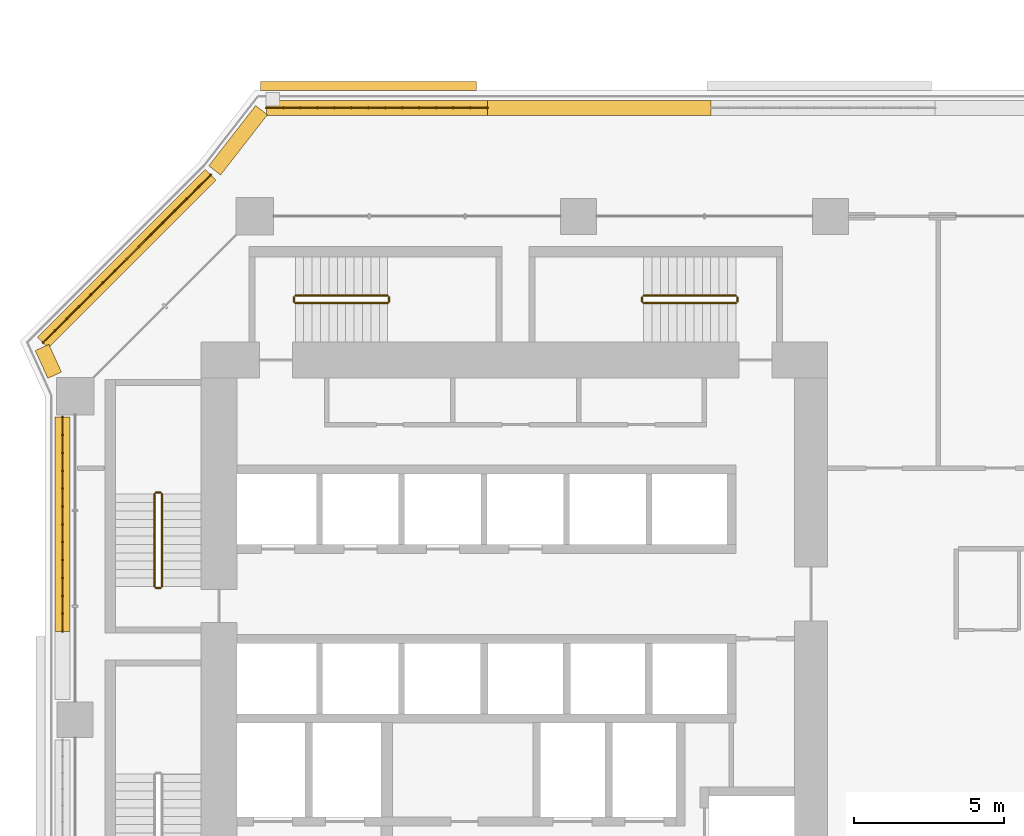
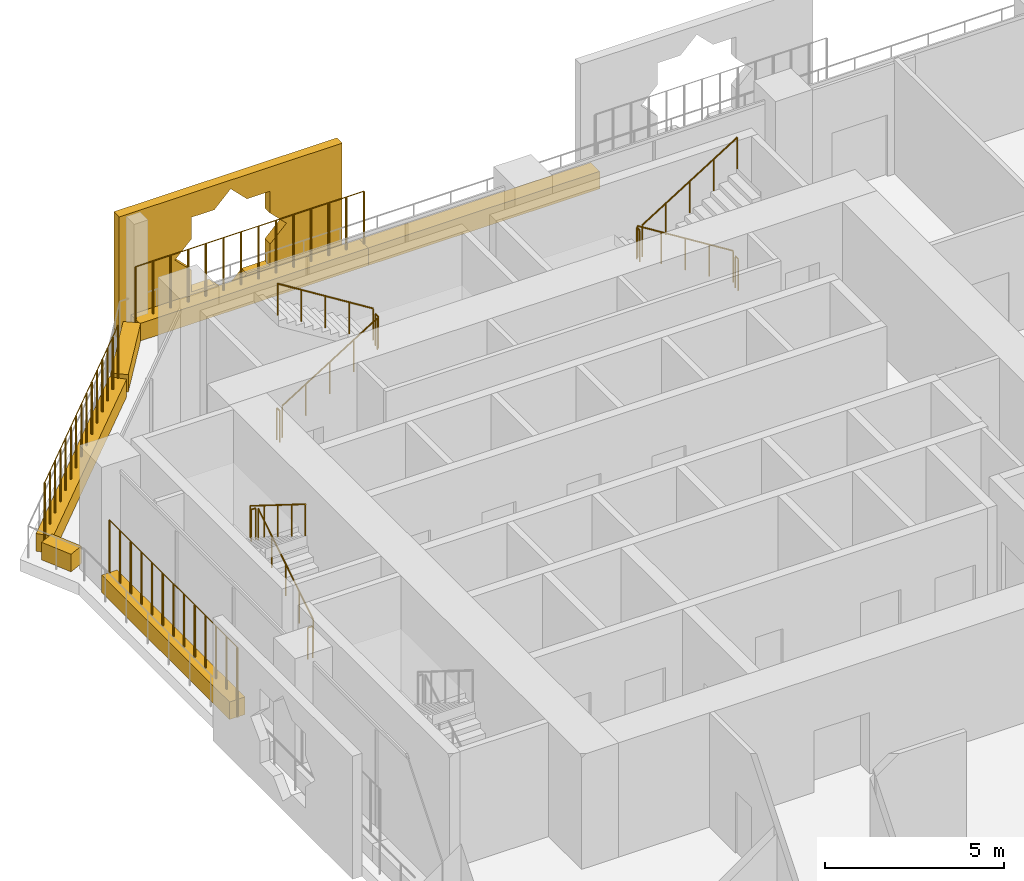
# One storey, part 25 of 27: 15 railings, 7 coverings.
"""IFC4 building model written with IfcOpenShell, lengths in metres."""

from ifc_helpers import new_model, si_unit, direction, frame, origin, origin_2d, place, context, subcontext, project, spatial, polyline, rectangle, circle, outline, extrude, material, material_profile, profile_set, type_object, element, save


model = new_model("IFC4")

# Units and contexts
model_context = context("Model", 3, precision=1e-05, world=origin(), true_north=direction((0.0, 1.0)))
body_context = subcontext(model_context, "Body", "Model", "MODEL_VIEW")
ifc_project = project(units=[si_unit("LENGTHUNIT", "METRE"), si_unit("AREAUNIT", "SQUARE_METRE"), si_unit("VOLUMEUNIT", "CUBIC_METRE"), si_unit("PLANEANGLEUNIT", "RADIAN"), si_unit("MASSUNIT", "GRAM", prefix="KILO")], contexts=[model_context])

# Site, building, storey
site_placement = place(None, origin())
site = spatial("IfcSite", under=ifc_project, at=site_placement, CompositionType="ELEMENT")
building_placement = place(site_placement, origin())
building = spatial("IfcBuilding", under=site, at=building_placement, Name="Kawkab Arch Medical Tower", CompositionType="ELEMENT")
storey_placement = place(building_placement, frame((0.0, 0.0, 39.199951171875)))
storey = spatial("IfcBuildingStorey", under=building, at=storey_placement, Name="L08", CompositionType="ELEMENT", Elevation=39.199951171875)

# Coverings
ifc_material_1 = material(Name="Bronze anodised aluminium mashrabiya panel, eight-point star pattern", Category="aluminium")
ifc_material_profile_1 = material_profile(ifc_material_1, outline(polyline([(-3.60009765625, -2.10009765625), (3.60009765625, -2.10009765625), (3.60009765625, 2.10009765625), (-3.60009765625, 2.10009765625), (-3.60009765625, -2.10009765625)]), holes=[polyline([(1.800048828125, 0.0), (1.272705078125, 0.527099609375), (1.272705078125, 1.272705078125), (0.527099609375, 1.272705078125), (0.0, 1.800048828125), (-0.527099609375, 1.272705078125), (-1.272705078125, 1.272705078125), (-1.272705078125, 0.527099609375), (-1.800048828125, 0.0), (-1.272705078125, -0.527099609375), (-1.272705078125, -1.272705078125), (-0.527099609375, -1.272705078125), (0.0, -1.800048828125), (0.527099609375, -1.272705078125), (1.272705078125, -1.272705078125), (1.272705078125, -0.527099609375), (1.800048828125, 0.0)])]), Name="Mashrabiya panel 7200x4200")
ifc_profile_set_1 = profile_set([ifc_material_profile_1], Name="Bronze anodised aluminium mashrabiya panel, eight-point star pattern")
covering_type_1 = type_object("IfcCoveringType", Name="Mashrabiya panel 7200 x 4200", PredefinedType="USERDEFINED", material=ifc_profile_set_1)
covering_1_placement = place(storey_placement, frame((9.791015625, 4.199951171875, 1.699951171875), z_axis=(0.0, 1.0, 0.0), x_axis=(-1.0, 0.0, 0.0)))
element("IfcCovering", 1, at=covering_1_placement, inside=storey, type_object=covering_type_1, Name="Mashrabiya panel L08.LOG-01-01.6", ObjectType="SCREEN", PredefinedType="USERDEFINED", context=body_context, shape_type="SweptSolid", body=[
    extrude(outline(polyline([(-3.60009765625, -2.10009765625), (3.60009765625, -2.10009765625), (3.60009765625, 2.10009765625), (-3.60009765625, 2.10009765625), (-3.60009765625, -2.10009765625)]), holes=[polyline([(1.800048828125, 0.0), (1.272705078125, 0.527099609375), (1.272705078125, 1.272705078125), (0.527099609375, 1.272705078125), (0.0, 1.800048828125), (-0.527099609375, 1.272705078125), (-1.272705078125, 1.272705078125), (-1.272705078125, 0.527099609375), (-1.800048828125, 0.0), (-1.272705078125, -0.527099609375), (-1.272705078125, -1.272705078125), (-0.527099609375, -1.272705078125), (0.0, -1.800048828125), (0.527099609375, -1.272705078125), (1.272705078125, -1.272705078125), (1.272705078125, -0.527099609375), (1.800048828125, 0.0)])]), origin(), (0.0, 0.0, 1.0), 0.300048828125),
])
ifc_material_2 = material(Name="Planting soil in a precast trough", Category="concrete")
ifc_material_profile_2 = material_profile(ifc_material_2, rectangle(XDim=0.5, YDim=0.60009765625, at=origin_2d()), Name="Trough 500x600")
ifc_profile_set_2 = profile_set([ifc_material_profile_2], Name="Planting soil in a precast trough")
covering_type_2 = type_object("IfcCoveringType", Name="Planter trough 500 x 600", PredefinedType="USERDEFINED", material=ifc_profile_set_2)
covering_2_placement = place(storey_placement, frame((-0.419921875, -13.85595703125, 0.300048828125), z_axis=(0.0, 1.0, 0.0), x_axis=(-1.0, 0.0, 0.0)))
element("IfcCovering", 2, at=covering_2_placement, inside=storey, type_object=covering_type_2, Name="Planter L08.LOG-01-01.21", ObjectType="PLANTER", PredefinedType="USERDEFINED", context=body_context, shape_type="SweptSolid", body=[
    extrude(rectangle(XDim=0.5, YDim=0.60009765625, at=origin_2d()), origin(), (0.0, 0.0, 1.0), 7.15087890625),
])
covering_3_placement = place(storey_placement, frame((-0.680908203125, -5.302001953125, 0.300048828125), z_axis=(-0.415071571878, 0.909788761317, 0.0), x_axis=(-0.909788761317, -0.415071571878, 0.0)))
element("IfcCovering", 3, at=covering_3_placement, inside=storey, type_object=covering_type_2, Name="Planter L08.LOG-01-01.22", ObjectType="PLANTER", PredefinedType="USERDEFINED", context=body_context, shape_type="SweptSolid", body=[
    extrude(rectangle(XDim=0.5, YDim=0.60009765625, at=origin_2d()), origin(), (0.0, 0.0, 1.0), 1.0146484375),
])
covering_4_placement = place(storey_placement, frame((-1.072998046875, -4.217041015625, 0.300048828125), z_axis=(0.707106781187, 0.707106781187, 0.0), x_axis=(-0.707106781187, 0.707106781187, 0.0)))
element("IfcCovering", 4, at=covering_4_placement, inside=storey, type_object=covering_type_2, Name="Planter L08.LOG-01-01.23", ObjectType="PLANTER", PredefinedType="USERDEFINED", context=body_context, shape_type="SweptSolid", body=[
    extrude(rectangle(XDim=0.5, YDim=0.60009765625, at=origin_2d()), origin(), (0.0, 0.0, 1.0), 7.919677734375),
])
covering_5_placement = place(storey_placement, frame((4.658935546875, 1.531982421875, 0.300048828125), z_axis=(0.61404021143, 0.789274742246, 0.0), x_axis=(-0.789274742246, 0.61404021143, 0.0)))
element("IfcCovering", 5, at=covering_5_placement, inside=storey, type_object=covering_type_2, Name="Planter L08.LOG-01-01.24", ObjectType="PLANTER", PredefinedType="USERDEFINED", context=body_context, shape_type="SweptSolid", body=[
    extrude(rectangle(XDim=0.5, YDim=0.60009765625, at=origin_2d()), origin(), (0.0, 0.0, 1.0), 2.54541015625),
])
covering_6_placement = place(storey_placement, frame((6.384033203125, 3.6201171875, 0.300048828125), z_axis=(1.0, 0.0, 0.0), x_axis=(0.0, 1.0, 0.0)))
element("IfcCovering", 6, at=covering_6_placement, inside=storey, type_object=covering_type_2, Name="Planter L08.LOG-01-01.25", ObjectType="PLANTER", PredefinedType="USERDEFINED", context=body_context, shape_type="SweptSolid", body=[
    extrude(rectangle(XDim=0.5, YDim=0.60009765625, at=origin_2d()), origin(), (0.0, 0.0, 1.0), 7.369873046875),
])
covering_7_placement = place(storey_placement, frame((13.75390625, 3.6201171875, 0.300048828125), z_axis=(1.0, 0.0, 0.0), x_axis=(0.0, 1.0, 0.0)))
element("IfcCovering", 7, at=covering_7_placement, inside=storey, type_object=covering_type_2, Name="Planter L08.LOG-01-01.26", ObjectType="PLANTER", PredefinedType="USERDEFINED", context=body_context, shape_type="SweptSolid", body=[
    extrude(rectangle(XDim=0.5, YDim=0.60009765625, at=origin_2d()), origin(), (0.0, 0.0, 1.0), 7.47021484375),
])

# Railings
ifc_material_3 = material(Name="Bronze anodised aluminium trellis for climbing plants", Category="aluminium")
railing_type_1 = type_object("IfcRailingType", Name="Planting trellis 2400", PredefinedType="USERDEFINED", material=ifc_material_3)
railing_1_placement = place(storey_placement, frame((-0.419921875, -13.85595703125, 0.0)))
element("IfcRailing", 8, at=railing_1_placement, inside=storey, type_object=railing_type_1, Name="Planting trellis L08.LOG-01-01.21", ObjectType="TRELLIS", PredefinedType="USERDEFINED", context=body_context, shape_type="SweptSolid", body=[
    extrude(circle(Radius=0.01513671875, at=origin_2d()), frame((0.0, 0.0, 2.384765625), z_axis=(0.0, 1.0, 0.0), x_axis=(-1.0, 0.0, 0.0)), (0.0, 0.0, 1.0), 7.15087890625),
    extrude(circle(Radius=0.030029296875, at=origin_2d()), origin(), (0.0, 0.0, 1.0), 2.369873046875),
    extrude(circle(Radius=0.030029296875, at=origin_2d()), frame((0.0, 0.595947265625, 0.0)), (0.0, 0.0, 1.0), 2.369873046875),
    extrude(circle(Radius=0.030029296875, at=origin_2d()), frame((0.0, 1.19189453125, 0.0)), (0.0, 0.0, 1.0), 2.369873046875),
    extrude(circle(Radius=0.030029296875, at=origin_2d()), frame((0.0, 1.78759765625, 0.0)), (0.0, 0.0, 1.0), 2.369873046875),
    extrude(circle(Radius=0.030029296875, at=origin_2d()), frame((0.0, 2.383544921875, 0.0)), (0.0, 0.0, 1.0), 2.369873046875),
    extrude(circle(Radius=0.030029296875, at=origin_2d()), frame((0.0, 2.9794921875, 0.0)), (0.0, 0.0, 1.0), 2.369873046875),
    extrude(circle(Radius=0.030029296875, at=origin_2d()), frame((0.0, 3.575439453125, 0.0)), (0.0, 0.0, 1.0), 2.369873046875),
    extrude(circle(Radius=0.030029296875, at=origin_2d()), frame((0.0, 4.17138671875, 0.0)), (0.0, 0.0, 1.0), 2.369873046875),
    extrude(circle(Radius=0.030029296875, at=origin_2d()), frame((0.0, 4.767333984375, 0.0)), (0.0, 0.0, 1.0), 2.369873046875),
    extrude(circle(Radius=0.030029296875, at=origin_2d()), frame((0.0, 5.36328125, 0.0)), (0.0, 0.0, 1.0), 2.369873046875),
    extrude(circle(Radius=0.030029296875, at=origin_2d()), frame((0.0, 5.958984375, 0.0)), (0.0, 0.0, 1.0), 2.369873046875),
    extrude(circle(Radius=0.030029296875, at=origin_2d()), frame((0.0, 6.554931640625, 0.0)), (0.0, 0.0, 1.0), 2.369873046875),
    extrude(circle(Radius=0.030029296875, at=origin_2d()), frame((0.0, 7.15087890625, 0.0)), (0.0, 0.0, 1.0), 2.369873046875),
])
railing_2_placement = place(storey_placement, frame((-1.072998046875, -4.217041015625, 0.0)))
element("IfcRailing", 9, at=railing_2_placement, inside=storey, type_object=railing_type_1, Name="Planting trellis L08.LOG-01-01.23", ObjectType="TRELLIS", PredefinedType="USERDEFINED", context=body_context, shape_type="SweptSolid", body=[
    extrude(circle(Radius=0.01513671875, at=origin_2d()), frame((0.0, 0.0, 2.384765625), z_axis=(0.707106781187, 0.707106781187, 0.0), x_axis=(-0.707106781187, 0.707106781187, 0.0)), (0.0, 0.0, 1.0), 7.919677734375),
    extrude(circle(Radius=0.030029296875, at=origin_2d()), origin(), (0.0, 0.0, 1.0), 2.369873046875),
    extrude(circle(Radius=0.030029296875, at=origin_2d()), frame((0.39990234375, 0.39990234375, 0.0)), (0.0, 0.0, 1.0), 2.369873046875),
    extrude(circle(Radius=0.030029296875, at=origin_2d()), frame((0.800048828125, 0.800048828125, 0.0)), (0.0, 0.0, 1.0), 2.369873046875),
    extrude(circle(Radius=0.030029296875, at=origin_2d()), frame((1.199951171875, 1.199951171875, 0.0)), (0.0, 0.0, 1.0), 2.369873046875),
    extrude(circle(Radius=0.030029296875, at=origin_2d()), frame((1.60009765625, 1.60009765625, 0.0)), (0.0, 0.0, 1.0), 2.369873046875),
    extrude(circle(Radius=0.030029296875, at=origin_2d()), frame((2.0, 2.0, 0.0)), (0.0, 0.0, 1.0), 2.369873046875),
    extrude(circle(Radius=0.030029296875, at=origin_2d()), frame((2.400146484375, 2.400146484375, 0.0)), (0.0, 0.0, 1.0), 2.369873046875),
    extrude(circle(Radius=0.030029296875, at=origin_2d()), frame((2.800048828125, 2.800048828125, 0.0)), (0.0, 0.0, 1.0), 2.369873046875),
    extrude(circle(Radius=0.030029296875, at=origin_2d()), frame((3.199951171875, 3.199951171875, 0.0)), (0.0, 0.0, 1.0), 2.369873046875),
    extrude(circle(Radius=0.030029296875, at=origin_2d()), frame((3.60009765625, 3.60009765625, 0.0)), (0.0, 0.0, 1.0), 2.369873046875),
    extrude(circle(Radius=0.030029296875, at=origin_2d()), frame((4.0, 4.0, 0.0)), (0.0, 0.0, 1.0), 2.369873046875),
    extrude(circle(Radius=0.030029296875, at=origin_2d()), frame((4.400146484375, 4.400146484375, 0.0)), (0.0, 0.0, 1.0), 2.369873046875),
    extrude(circle(Radius=0.030029296875, at=origin_2d()), frame((4.800048828125, 4.800048828125, 0.0)), (0.0, 0.0, 1.0), 2.369873046875),
    extrude(circle(Radius=0.030029296875, at=origin_2d()), frame((5.2001953125, 5.2001953125, 0.0)), (0.0, 0.0, 1.0), 2.369873046875),
    extrude(circle(Radius=0.030029296875, at=origin_2d()), frame((5.60009765625, 5.60009765625, 0.0)), (0.0, 0.0, 1.0), 2.369873046875),
])
railing_3_placement = place(storey_placement, frame((6.384033203125, 3.6201171875, 0.0)))
element("IfcRailing", 10, at=railing_3_placement, inside=storey, type_object=railing_type_1, Name="Planting trellis L08.LOG-01-01.25", ObjectType="TRELLIS", PredefinedType="USERDEFINED", context=body_context, shape_type="SweptSolid", body=[
    extrude(circle(Radius=0.01513671875, at=origin_2d()), frame((0.0, 0.0, 2.384765625), z_axis=(1.0, 0.0, 0.0), x_axis=(0.0, 1.0, 0.0)), (0.0, 0.0, 1.0), 7.369873046875),
    extrude(circle(Radius=0.030029296875, at=origin_2d()), origin(), (0.0, 0.0, 1.0), 2.369873046875),
    extrude(circle(Radius=0.030029296875, at=origin_2d()), frame((0.56689453125, 0.0, 0.0)), (0.0, 0.0, 1.0), 2.369873046875),
    extrude(circle(Radius=0.030029296875, at=origin_2d()), frame((1.1337890625, 0.0, 0.0)), (0.0, 0.0, 1.0), 2.369873046875),
    extrude(circle(Radius=0.030029296875, at=origin_2d()), frame((1.70068359375, 0.0, 0.0)), (0.0, 0.0, 1.0), 2.369873046875),
    extrude(circle(Radius=0.030029296875, at=origin_2d()), frame((2.267578125, 0.0, 0.0)), (0.0, 0.0, 1.0), 2.369873046875),
    extrude(circle(Radius=0.030029296875, at=origin_2d()), frame((2.83447265625, 0.0, 0.0)), (0.0, 0.0, 1.0), 2.369873046875),
    extrude(circle(Radius=0.030029296875, at=origin_2d()), frame((3.4013671875, 0.0, 0.0)), (0.0, 0.0, 1.0), 2.369873046875),
    extrude(circle(Radius=0.030029296875, at=origin_2d()), frame((3.968505859375, 0.0, 0.0)), (0.0, 0.0, 1.0), 2.369873046875),
    extrude(circle(Radius=0.030029296875, at=origin_2d()), frame((4.535400390625, 0.0, 0.0)), (0.0, 0.0, 1.0), 2.369873046875),
    extrude(circle(Radius=0.030029296875, at=origin_2d()), frame((5.102294921875, 0.0, 0.0)), (0.0, 0.0, 1.0), 2.369873046875),
    extrude(circle(Radius=0.030029296875, at=origin_2d()), frame((5.669189453125, 0.0, 0.0)), (0.0, 0.0, 1.0), 2.369873046875),
    extrude(circle(Radius=0.030029296875, at=origin_2d()), frame((6.236083984375, 0.0, 0.0)), (0.0, 0.0, 1.0), 2.369873046875),
    extrude(circle(Radius=0.030029296875, at=origin_2d()), frame((6.802978515625, 0.0, 0.0)), (0.0, 0.0, 1.0), 2.369873046875),
    extrude(circle(Radius=0.030029296875, at=origin_2d()), frame((7.369873046875, 0.0, 0.0)), (0.0, 0.0, 1.0), 2.369873046875),
])
ifc_material_4 = material(Name="Stainless steel", Category="steel")
railing_type_2 = type_object("IfcRailingType", Name="Stair guard 1100", PredefinedType="GUARDRAIL", material=ifc_material_4)
railing_4_placement = place(storey_placement, frame((2.89990234375, -12.35009765625, 0.175048828125)))
element("IfcRailing", 11, at=railing_4_placement, inside=storey, type_object=railing_type_2, Name="L08 ST1 stair guard 1", PredefinedType="GUARDRAIL", context=body_context, shape_type="SweptSolid", body=[
    extrude(circle(Radius=0.02392578125, at=origin_2d()), frame((0.0, 0.0, 1.076171875), z_axis=(0.0, 0.847998304005, 0.529998940003), x_axis=(-1.0, 0.0, 0.0)), (0.0, 0.0, 1.0), 3.632080078125),
    extrude(circle(Radius=0.02099609375, at=origin_2d()), origin(), (0.0, 0.0, 1.0), 1.052001953125),
    extrude(circle(Radius=0.02099609375, at=origin_2d()), frame((0.0, 0.77001953125, 0.481201171875)), (0.0, 0.0, 1.0), 1.052001953125),
    extrude(circle(Radius=0.02099609375, at=origin_2d()), frame((0.0, 1.5400390625, 0.96240234375)), (0.0, 0.0, 1.0), 1.052001953125),
    extrude(circle(Radius=0.02099609375, at=origin_2d()), frame((0.0, 2.31005859375, 1.44384765625)), (0.0, 0.0, 1.0), 1.052001953125),
    extrude(circle(Radius=0.02099609375, at=origin_2d()), frame((0.0, 3.080078125, 1.925048828125)), (0.0, 0.0, 1.0), 1.052001953125),
])
railing_5_placement = place(storey_placement, frame((2.85009765625, -9.219970703125, 2.10009765625)))
element("IfcRailing", 12, at=railing_5_placement, inside=storey, type_object=railing_type_2, Name="L08 ST1 stair guard 2", PredefinedType="GUARDRAIL", context=body_context, shape_type="SweptSolid", body=[
    extrude(circle(Radius=0.02392578125, at=origin_2d()), frame((0.0, 0.0, 1.076171875), z_axis=(-1.0, 0.0, 0.0), x_axis=(0.0, -1.0, 0.0)), (0.0, 0.0, 1.0), 0.150146484375),
    extrude(circle(Radius=0.02099609375, at=origin_2d()), origin(), (0.0, 0.0, 1.0), 1.052001953125),
    extrude(circle(Radius=0.02099609375, at=origin_2d()), frame((-0.150146484375, 0.0, 0.0)), (0.0, 0.0, 1.0), 1.052001953125),
])
railing_6_placement = place(storey_placement, frame((2.64990234375, -9.27001953125, 2.275146484375)))
element("IfcRailing", 13, at=railing_6_placement, inside=storey, type_object=railing_type_2, Name="L08 ST1 stair guard 3", PredefinedType="GUARDRAIL", context=body_context, shape_type="SweptSolid", body=[
    extrude(circle(Radius=0.02392578125, at=origin_2d()), frame((0.0, 0.0, 1.076171875), z_axis=(0.0, -0.848028513186, 0.529950602248), x_axis=(1.0, 0.0, 0.0)), (0.0, 0.0, 1.0), 3.632080078125),
    extrude(circle(Radius=0.02099609375, at=origin_2d()), origin(), (0.0, 0.0, 1.0), 1.052001953125),
    extrude(circle(Radius=0.02099609375, at=origin_2d()), frame((0.0, -0.77001953125, 0.481201171875)), (0.0, 0.0, 1.0), 1.052001953125),
    extrude(circle(Radius=0.02099609375, at=origin_2d()), frame((0.0, -1.5400390625, 0.96240234375)), (0.0, 0.0, 1.0), 1.052001953125),
    extrude(circle(Radius=0.02099609375, at=origin_2d()), frame((0.0, -2.31005859375, 1.443603515625)), (0.0, 0.0, 1.0), 1.052001953125),
    extrude(circle(Radius=0.02099609375, at=origin_2d()), frame((0.0, -3.080078125, 1.9248046875)), (0.0, 0.0, 1.0), 1.052001953125),
])
railing_7_placement = place(storey_placement, frame((2.85009765625, -12.39990234375, 0.0)))
element("IfcRailing", 14, at=railing_7_placement, inside=storey, type_object=railing_type_2, Name="L08 ST1 stair guard 4", PredefinedType="GUARDRAIL", context=body_context, shape_type="SweptSolid", body=[
    extrude(circle(Radius=0.02392578125, at=origin_2d()), frame((0.0, 0.0, 1.076171875), z_axis=(-1.0, 0.0, 0.0), x_axis=(0.0, -1.0, 0.0)), (0.0, 0.0, 1.0), 0.150146484375),
    extrude(circle(Radius=0.02099609375, at=origin_2d()), origin(), (0.0, 0.0, 1.0), 1.052001953125),
    extrude(circle(Radius=0.02099609375, at=origin_2d()), frame((-0.150146484375, 0.0, 0.0)), (0.0, 0.0, 1.0), 1.052001953125),
])
railing_8_placement = place(storey_placement, frame((7.35009765625, -2.89990234375, 0.175048828125)))
element("IfcRailing", 15, at=railing_8_placement, inside=storey, type_object=railing_type_2, Name="L08 ST3 stair guard 1", PredefinedType="GUARDRAIL", context=body_context, shape_type="SweptSolid", body=[
    extrude(circle(Radius=0.02392578125, at=origin_2d()), frame((0.0, 0.0, 1.076171875), z_axis=(0.847979421464, 0.0, 0.530029150871), x_axis=(0.0, 1.0, 0.0)), (0.0, 0.0, 1.0), 3.632080078125),
    extrude(circle(Radius=0.02099609375, at=origin_2d()), origin(), (0.0, 0.0, 1.0), 1.052001953125),
    extrude(circle(Radius=0.02099609375, at=origin_2d()), frame((0.77001953125, 0.0, 0.481201171875)), (0.0, 0.0, 1.0), 1.052001953125),
    extrude(circle(Radius=0.02099609375, at=origin_2d()), frame((1.5400390625, 0.0, 0.96240234375)), (0.0, 0.0, 1.0), 1.052001953125),
    extrude(circle(Radius=0.02099609375, at=origin_2d()), frame((2.309814453125, 0.0, 1.44384765625)), (0.0, 0.0, 1.0), 1.052001953125),
    extrude(circle(Radius=0.02099609375, at=origin_2d()), frame((3.079833984375, 0.0, 1.925048828125)), (0.0, 0.0, 1.0), 1.052001953125),
])
railing_9_placement = place(storey_placement, frame((10.47998046875, -2.85009765625, 2.10009765625)))
element("IfcRailing", 16, at=railing_9_placement, inside=storey, type_object=railing_type_2, Name="L08 ST3 stair guard 2", PredefinedType="GUARDRAIL", context=body_context, shape_type="SweptSolid", body=[
    extrude(circle(Radius=0.02392578125, at=origin_2d()), frame((0.0, 0.0, 1.076171875), z_axis=(0.0, 1.0, 0.0), x_axis=(-1.0, 0.0, 0.0)), (0.0, 0.0, 1.0), 0.150146484375),
    extrude(circle(Radius=0.02099609375, at=origin_2d()), origin(), (0.0, 0.0, 1.0), 1.052001953125),
    extrude(circle(Radius=0.02099609375, at=origin_2d()), frame((0.0, 0.150146484375, 0.0)), (0.0, 0.0, 1.0), 1.052001953125),
])
railing_10_placement = place(storey_placement, frame((10.429931640625, -2.64990234375, 2.275146484375)))
element("IfcRailing", 17, at=railing_10_placement, inside=storey, type_object=railing_type_2, Name="L08 ST3 stair guard 3", PredefinedType="GUARDRAIL", context=body_context, shape_type="SweptSolid", body=[
    extrude(circle(Radius=0.02392578125, at=origin_2d()), frame((0.0, 0.0, 1.076171875), z_axis=(-0.848009633417, 0.0, 0.529980812513), x_axis=(0.0, -1.0, 0.0)), (0.0, 0.0, 1.0), 3.6318359375),
    extrude(circle(Radius=0.02099609375, at=origin_2d()), origin(), (0.0, 0.0, 1.0), 1.052001953125),
    extrude(circle(Radius=0.02099609375, at=origin_2d()), frame((-0.77001953125, 0.0, 0.481201171875)), (0.0, 0.0, 1.0), 1.052001953125),
    extrude(circle(Radius=0.02099609375, at=origin_2d()), frame((-1.5400390625, 0.0, 0.96240234375)), (0.0, 0.0, 1.0), 1.052001953125),
    extrude(circle(Radius=0.02099609375, at=origin_2d()), frame((-2.309814453125, 0.0, 1.443603515625)), (0.0, 0.0, 1.0), 1.052001953125),
    extrude(circle(Radius=0.02099609375, at=origin_2d()), frame((-3.079833984375, 0.0, 1.9248046875)), (0.0, 0.0, 1.0), 1.052001953125),
])
railing_11_placement = place(storey_placement, frame((7.300048828125, -2.85009765625, 0.0)))
element("IfcRailing", 18, at=railing_11_placement, inside=storey, type_object=railing_type_2, Name="L08 ST3 stair guard 4", PredefinedType="GUARDRAIL", context=body_context, shape_type="SweptSolid", body=[
    extrude(circle(Radius=0.02392578125, at=origin_2d()), frame((0.0, 0.0, 1.076171875), z_axis=(0.0, 1.0, 0.0), x_axis=(-1.0, 0.0, 0.0)), (0.0, 0.0, 1.0), 0.150146484375),
    extrude(circle(Radius=0.02099609375, at=origin_2d()), origin(), (0.0, 0.0, 1.0), 1.052001953125),
    extrude(circle(Radius=0.02099609375, at=origin_2d()), frame((0.0, 0.150146484375, 0.0)), (0.0, 0.0, 1.0), 1.052001953125),
])
railing_12_placement = place(storey_placement, frame((22.050048828125, -2.64990234375, 0.175048828125)))
element("IfcRailing", 19, at=railing_12_placement, inside=storey, type_object=railing_type_2, Name="L08 ST4 stair guard 1", PredefinedType="GUARDRAIL", context=body_context, shape_type="SweptSolid", body=[
    extrude(circle(Radius=0.02392578125, at=origin_2d()), frame((0.0, 0.0, 1.076171875), z_axis=(-0.847998304005, 0.0, 0.529998940003), x_axis=(0.0, -1.0, 0.0)), (0.0, 0.0, 1.0), 3.632080078125),
    extrude(circle(Radius=0.02099609375, at=origin_2d()), origin(), (0.0, 0.0, 1.0), 1.052001953125),
    extrude(circle(Radius=0.02099609375, at=origin_2d()), frame((-0.77001953125, 0.0, 0.481201171875)), (0.0, 0.0, 1.0), 1.052001953125),
    extrude(circle(Radius=0.02099609375, at=origin_2d()), frame((-1.5400390625, 0.0, 0.96240234375)), (0.0, 0.0, 1.0), 1.052001953125),
    extrude(circle(Radius=0.02099609375, at=origin_2d()), frame((-2.31005859375, 0.0, 1.44384765625)), (0.0, 0.0, 1.0), 1.052001953125),
    extrude(circle(Radius=0.02099609375, at=origin_2d()), frame((-3.080078125, 0.0, 1.925048828125)), (0.0, 0.0, 1.0), 1.052001953125),
])
railing_13_placement = place(storey_placement, frame((18.919921875, -2.699951171875, 2.10009765625)))
element("IfcRailing", 20, at=railing_13_placement, inside=storey, type_object=railing_type_2, Name="L08 ST4 stair guard 2", PredefinedType="GUARDRAIL", context=body_context, shape_type="SweptSolid", body=[
    extrude(circle(Radius=0.02392578125, at=origin_2d()), frame((0.0, 0.0, 1.076171875), z_axis=(0.0, -1.0, 0.0), x_axis=(1.0, 0.0, 0.0)), (0.0, 0.0, 1.0), 0.150146484375),
    extrude(circle(Radius=0.02099609375, at=origin_2d()), origin(), (0.0, 0.0, 1.0), 1.052001953125),
    extrude(circle(Radius=0.02099609375, at=origin_2d()), frame((0.0, -0.150146484375, 0.0)), (0.0, 0.0, 1.0), 1.052001953125),
])
railing_14_placement = place(storey_placement, frame((18.969970703125, -2.89990234375, 2.275146484375)))
element("IfcRailing", 21, at=railing_14_placement, inside=storey, type_object=railing_type_2, Name="L08 ST4 stair guard 3", PredefinedType="GUARDRAIL", context=body_context, shape_type="SweptSolid", body=[
    extrude(circle(Radius=0.02392578125, at=origin_2d()), frame((0.0, 0.0, 1.076171875), z_axis=(0.848028513186, 0.0, 0.529950602248), x_axis=(0.0, 1.0, 0.0)), (0.0, 0.0, 1.0), 3.632080078125),
    extrude(circle(Radius=0.02099609375, at=origin_2d()), origin(), (0.0, 0.0, 1.0), 1.052001953125),
    extrude(circle(Radius=0.02099609375, at=origin_2d()), frame((0.77001953125, 0.0, 0.481201171875)), (0.0, 0.0, 1.0), 1.052001953125),
    extrude(circle(Radius=0.02099609375, at=origin_2d()), frame((1.5400390625, 0.0, 0.96240234375)), (0.0, 0.0, 1.0), 1.052001953125),
    extrude(circle(Radius=0.02099609375, at=origin_2d()), frame((2.31005859375, 0.0, 1.443603515625)), (0.0, 0.0, 1.0), 1.052001953125),
    extrude(circle(Radius=0.02099609375, at=origin_2d()), frame((3.080078125, 0.0, 1.9248046875)), (0.0, 0.0, 1.0), 1.052001953125),
])
railing_15_placement = place(storey_placement, frame((22.10009765625, -2.699951171875, 0.0)))
element("IfcRailing", 22, at=railing_15_placement, inside=storey, type_object=railing_type_2, Name="L08 ST4 stair guard 4", PredefinedType="GUARDRAIL", context=body_context, shape_type="SweptSolid", body=[
    extrude(circle(Radius=0.02392578125, at=origin_2d()), frame((0.0, 0.0, 1.076171875), z_axis=(0.0, -1.0, 0.0), x_axis=(1.0, 0.0, 0.0)), (0.0, 0.0, 1.0), 0.150146484375),
    extrude(circle(Radius=0.02099609375, at=origin_2d()), origin(), (0.0, 0.0, 1.0), 1.052001953125),
    extrude(circle(Radius=0.02099609375, at=origin_2d()), frame((0.0, -0.150146484375, 0.0)), (0.0, 0.0, 1.0), 1.052001953125),
])

save(model, "model.ifc")
